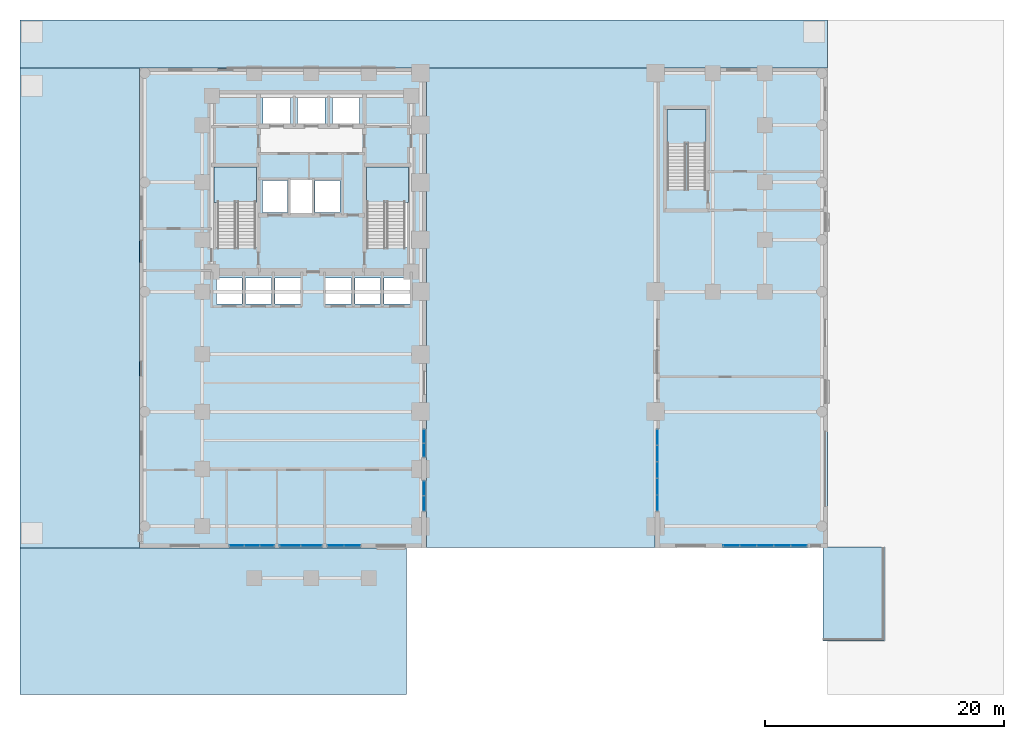
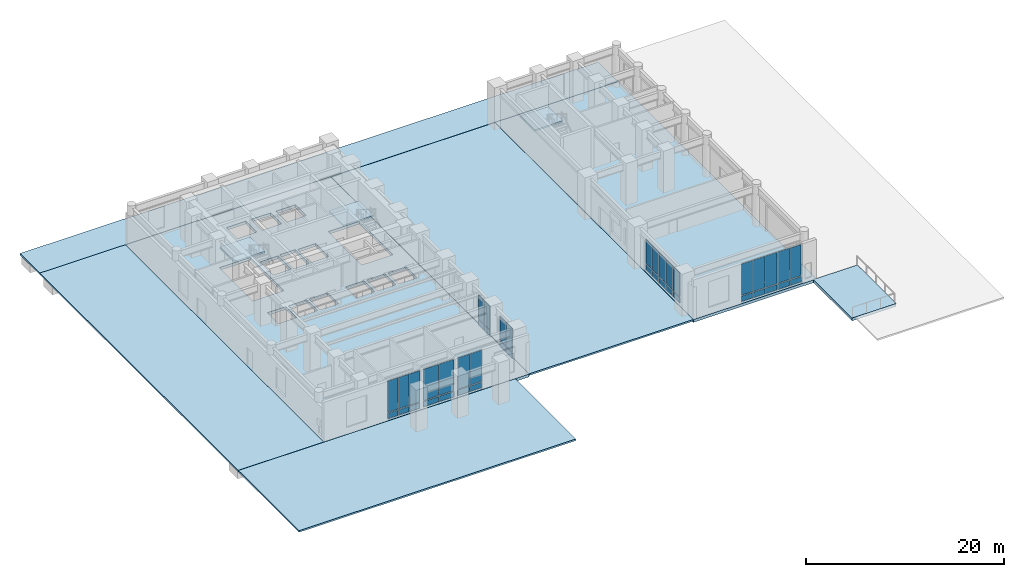
# One storey, part 6 of 16: 42 plates, 10 slabs, 10 elements without a shape of their own.
"""IFC4 building model written with IfcOpenShell, lengths in metres."""

from ifc_helpers import new_model, si_unit, direction, frame, origin, origin_2d, place, context, subcontext, project, spatial, polyline, rectangle, outline, extrude, material, layer, layer_set, type_object, element, aggregate, save


model = new_model("IFC4")

# Units and contexts
model_context = context("Model", 3, precision=1e-05, world=origin(), true_north=direction((0.0, 1.0)))
body_context = subcontext(model_context, "Body", "Model", "MODEL_VIEW")
ifc_project = project(units=[si_unit("LENGTHUNIT", "METRE"), si_unit("AREAUNIT", "SQUARE_METRE"), si_unit("VOLUMEUNIT", "CUBIC_METRE"), si_unit("PLANEANGLEUNIT", "RADIAN"), si_unit("MASSUNIT", "GRAM", prefix="KILO")], contexts=[model_context])

# Site, building, storey
site_placement = place(None, origin())
site = spatial("IfcSite", under=ifc_project, at=site_placement, CompositionType="ELEMENT")
building_placement = place(site_placement, origin())
building = spatial("IfcBuilding", under=site, at=building_placement, Name="Orvandelia Arch Residences", CompositionType="ELEMENT")
storey_placement = place(building_placement, origin())
storey = spatial("IfcBuildingStorey", under=building, at=storey_placement, Name="L00", CompositionType="ELEMENT", Elevation=0.0)

# Curtain wall, plates
ifc_material_1 = material(Name="Anodised Bronze Curtain Wall Assembly")
curtain_wall_type_1 = type_object("IfcCurtainWallType", Name="CW-SYS1-PODIUM", PredefinedType="NOTDEFINED", material=ifc_material_1)
curtain_wall_1_placement = place(storey_placement, origin())
curtain_wall_1 = element("IfcCurtainWall", 1, at=curtain_wall_1_placement, inside=storey, type_object=curtain_wall_type_1, Name="Ground Lobby Curtain Wall 1", PredefinedType="NOTDEFINED")
ifc_material_2 = material(Name="Insulated Bronze Aluminium Spandrel Panel", Category="aluminium")
ifc_layer_1 = layer(ifc_material_2, 0.0400390625, Name="Insulated Bronze Aluminium Spandrel Panel", Category="aluminium")
ifc_layer_set_1 = layer_set([ifc_layer_1], Name="Insulated Bronze Aluminium Spandrel Panel")
plate_type_1 = type_object("IfcPlateType", Name="CW-PANEL-SPANDREL", PredefinedType="SHEET", material=ifc_layer_set_1)
plate_1_placement = place(storey_placement, frame((8.159912109375, 7.97998046875, 0.125), z_axis=(0.0, 0.0, 1.0), x_axis=(1.0, 0.0, 0.0)))
plate_1 = element("IfcPlate", 2, at=plate_1_placement, type_object=plate_type_1, Name="Curtain Wall Spandrel Panel CW-L00-1-PS1", PredefinedType="SHEET", context=body_context, shape_type="SweptSolid", body=[
    extrude(rectangle(XDim=1.18994140625, YDim=0.0400390625, at=origin_2d()), origin(), (0.0, 0.0, 1.0), 0.669921875),
])
plate_2_placement = place(storey_placement, frame((9.419921875, 7.97998046875, 0.125), z_axis=(0.0, 0.0, 1.0), x_axis=(1.0, 0.0, 0.0)))
plate_2 = element("IfcPlate", 3, at=plate_2_placement, type_object=plate_type_1, Name="Curtain Wall Spandrel Panel CW-L00-1-PS2", PredefinedType="SHEET", context=body_context, shape_type="SweptSolid", body=[
    extrude(rectangle(XDim=1.22998046875, YDim=0.0400390625, at=origin_2d()), origin(), (0.0, 0.0, 1.0), 0.669921875),
])
plate_3_placement = place(storey_placement, frame((10.679931640625, 7.97998046875, 0.125), z_axis=(0.0, 0.0, 1.0), x_axis=(1.0, 0.0, 0.0)))
plate_3 = element("IfcPlate", 4, at=plate_3_placement, type_object=plate_type_1, Name="Curtain Wall Spandrel Panel CW-L00-1-PS3", PredefinedType="SHEET", context=body_context, shape_type="SweptSolid", body=[
    extrude(rectangle(XDim=1.18994140625, YDim=0.0400390625, at=origin_2d()), origin(), (0.0, 0.0, 1.0), 0.669921875),
])

curtain_wall_2_placement = place(storey_placement, origin())
curtain_wall_2 = element("IfcCurtainWall", 5, at=curtain_wall_2_placement, inside=storey, type_object=curtain_wall_type_1, Name="Ground Lobby Curtain Wall 2", PredefinedType="NOTDEFINED")
plate_4_placement = place(storey_placement, frame((12.6298828125, 7.97998046875, 0.125), z_axis=(0.0, 0.0, 1.0), x_axis=(1.0, 0.0, 0.0)))
plate_4 = element("IfcPlate", 6, at=plate_4_placement, type_object=plate_type_1, Name="Curtain Wall Spandrel Panel CW-L00-2-PS1", PredefinedType="SHEET", context=body_context, shape_type="SweptSolid", body=[
    extrude(rectangle(XDim=1.72998046875, YDim=0.0400390625, at=origin_2d()), origin(), (0.0, 0.0, 1.0), 0.669921875),
])
plate_5_placement = place(storey_placement, frame((14.409912109375, 7.97998046875, 0.125), z_axis=(0.0, 0.0, 1.0), x_axis=(1.0, 0.0, 0.0)))
plate_5 = element("IfcPlate", 7, at=plate_5_placement, type_object=plate_type_1, Name="Curtain Wall Spandrel Panel CW-L00-2-PS2", PredefinedType="SHEET", context=body_context, shape_type="SweptSolid", body=[
    extrude(rectangle(XDim=1.72998046875, YDim=0.0400390625, at=origin_2d()), origin(), (0.0, 0.0, 1.0), 0.669921875),
])

curtain_wall_3_placement = place(storey_placement, origin())
curtain_wall_3 = element("IfcCurtainWall", 8, at=curtain_wall_3_placement, inside=storey, type_object=curtain_wall_type_1, Name="Ground Lobby Curtain Wall 3", PredefinedType="NOTDEFINED")
plate_6_placement = place(storey_placement, frame((16.43505859375, 7.97998046875, 0.125), z_axis=(0.0, 0.0, 1.0), x_axis=(1.0, 0.0, 0.0)))
plate_6 = element("IfcPlate", 9, at=plate_6_placement, type_object=plate_type_1, Name="Curtain Wall Spandrel Panel CW-L00-3-PS1", PredefinedType="SHEET", context=body_context, shape_type="SweptSolid", body=[
    extrude(rectangle(XDim=1.340087890625, YDim=0.0400390625, at=origin_2d()), origin(), (0.0, 0.0, 1.0), 0.669921875),
])
plate_7_placement = place(storey_placement, frame((17.824951171875, 7.97998046875, 0.125), z_axis=(0.0, 0.0, 1.0), x_axis=(1.0, 0.0, 0.0)))
plate_7 = element("IfcPlate", 10, at=plate_7_placement, type_object=plate_type_1, Name="Curtain Wall Spandrel Panel CW-L00-3-PS2", PredefinedType="SHEET", context=body_context, shape_type="SweptSolid", body=[
    extrude(rectangle(XDim=1.340087890625, YDim=0.0400390625, at=origin_2d()), origin(), (0.0, 0.0, 1.0), 0.669921875),
])

curtain_wall_4_placement = place(storey_placement, origin())
curtain_wall_4 = element("IfcCurtainWall", 11, at=curtain_wall_4_placement, inside=storey, type_object=curtain_wall_type_1, Name="East Flagship Storefront Curtain Wall 4", PredefinedType="NOTDEFINED")
plate_8_placement = place(storey_placement, frame((49.572021484375, 7.97998046875, 0.125), z_axis=(0.0, 0.0, 1.0), x_axis=(1.0, 0.0, 0.0)))
plate_8 = element("IfcPlate", 12, at=plate_8_placement, type_object=plate_type_1, Name="Curtain Wall Spandrel Panel CW-L00-4-PS1", PredefinedType="SHEET", context=body_context, shape_type="SweptSolid", body=[
    extrude(rectangle(XDim=1.333984375, YDim=0.0400390625, at=origin_2d()), origin(), (0.0, 0.0, 1.0), 0.669921875),
])
plate_9_placement = place(storey_placement, frame((50.97607421875, 7.97998046875, 0.125), z_axis=(0.0, 0.0, 1.0), x_axis=(1.0, 0.0, 0.0)))
plate_9 = element("IfcPlate", 13, at=plate_9_placement, type_object=plate_type_1, Name="Curtain Wall Spandrel Panel CW-L00-4-PS2", PredefinedType="SHEET", context=body_context, shape_type="SweptSolid", body=[
    extrude(rectangle(XDim=1.3740234375, YDim=0.0400390625, at=origin_2d()), origin(), (0.0, 0.0, 1.0), 0.669921875),
])
plate_10_placement = place(storey_placement, frame((52.39990234375, 7.97998046875, 0.125), z_axis=(0.0, 0.0, 1.0), x_axis=(1.0, 0.0, 0.0)))
plate_10 = element("IfcPlate", 14, at=plate_10_placement, type_object=plate_type_1, Name="Curtain Wall Spandrel Panel CW-L00-4-PS3", PredefinedType="SHEET", context=body_context, shape_type="SweptSolid", body=[
    extrude(rectangle(XDim=1.3740234375, YDim=0.0400390625, at=origin_2d()), origin(), (0.0, 0.0, 1.0), 0.669921875),
])
plate_11_placement = place(storey_placement, frame((53.823974609375, 7.97998046875, 0.125), z_axis=(0.0, 0.0, 1.0), x_axis=(1.0, 0.0, 0.0)))
plate_11 = element("IfcPlate", 15, at=plate_11_placement, type_object=plate_type_1, Name="Curtain Wall Spandrel Panel CW-L00-4-PS4", PredefinedType="SHEET", context=body_context, shape_type="SweptSolid", body=[
    extrude(rectangle(XDim=1.3740234375, YDim=0.0400390625, at=origin_2d()), origin(), (0.0, 0.0, 1.0), 0.669921875),
])
plate_12_placement = place(storey_placement, frame((55.22802734375, 7.97998046875, 0.125), z_axis=(0.0, 0.0, 1.0), x_axis=(1.0, 0.0, 0.0)))
plate_12 = element("IfcPlate", 16, at=plate_12_placement, type_object=plate_type_1, Name="Curtain Wall Spandrel Panel CW-L00-4-PS5", PredefinedType="SHEET", context=body_context, shape_type="SweptSolid", body=[
    extrude(rectangle(XDim=1.333984375, YDim=0.0400390625, at=origin_2d()), origin(), (0.0, 0.0, 1.0), 0.669921875),
])

curtain_wall_type_2 = type_object("IfcCurtainWallType", Name="CW-SYS2-ARCH", PredefinedType="NOTDEFINED", material=ifc_material_1)
curtain_wall_5_placement = place(storey_placement, origin())
curtain_wall_5 = element("IfcCurtainWall", 17, at=curtain_wall_5_placement, inside=storey, type_object=curtain_wall_type_2, Name="Arch West Pier Glazed Arcade 5", PredefinedType="NOTDEFINED")
plate_13_placement = place(storey_placement, frame((23.820068359375, 11.512451171875, 0.125), z_axis=(0.0, 0.0, 1.0), x_axis=(0.0, 1.0, 0.0)))
plate_13 = element("IfcPlate", 18, at=plate_13_placement, type_object=plate_type_1, Name="Curtain Wall Spandrel Panel CW-L00-5-PS1", PredefinedType="SHEET", context=body_context, shape_type="SweptSolid", body=[
    extrude(rectangle(XDim=1.215087890625, YDim=0.0400390625, at=origin_2d()), origin(), (0.0, 0.0, 1.0), 0.669921875),
])
plate_14_placement = place(storey_placement, frame((23.820068359375, 12.777587890625, 0.125), z_axis=(0.0, 0.0, 1.0), x_axis=(0.0, 1.0, 0.0)))
plate_14 = element("IfcPlate", 19, at=plate_14_placement, type_object=plate_type_1, Name="Curtain Wall Spandrel Panel CW-L00-5-PS2", PredefinedType="SHEET", context=body_context, shape_type="SweptSolid", body=[
    extrude(rectangle(XDim=1.215087890625, YDim=0.0400390625, at=origin_2d()), origin(), (0.0, 0.0, 1.0), 0.669921875),
])

curtain_wall_6_placement = place(storey_placement, origin())
curtain_wall_6 = element("IfcCurtainWall", 20, at=curtain_wall_6_placement, inside=storey, type_object=curtain_wall_type_2, Name="Arch West Pier Glazed Arcade 6", PredefinedType="NOTDEFINED")
plate_15_placement = place(storey_placement, frame((23.820068359375, 15.972412109375, 0.125), z_axis=(0.0, 0.0, 1.0), x_axis=(0.0, 1.0, 0.0)))
plate_15 = element("IfcPlate", 21, at=plate_15_placement, type_object=plate_type_1, Name="Curtain Wall Spandrel Panel CW-L00-6-PS1", PredefinedType="SHEET", context=body_context, shape_type="SweptSolid", body=[
    extrude(rectangle(XDim=1.114990234375, YDim=0.0400390625, at=origin_2d()), origin(), (0.0, 0.0, 1.0), 0.669921875),
])
plate_16_placement = place(storey_placement, frame((23.820068359375, 17.137451171875, 0.125), z_axis=(0.0, 0.0, 1.0), x_axis=(0.0, 1.0, 0.0)))
plate_16 = element("IfcPlate", 22, at=plate_16_placement, type_object=plate_type_1, Name="Curtain Wall Spandrel Panel CW-L00-6-PS2", PredefinedType="SHEET", context=body_context, shape_type="SweptSolid", body=[
    extrude(rectangle(XDim=1.114990234375, YDim=0.0400390625, at=origin_2d()), origin(), (0.0, 0.0, 1.0), 0.669921875),
])

curtain_wall_7_placement = place(storey_placement, origin())
curtain_wall_7 = element("IfcCurtainWall", 23, at=curtain_wall_7_placement, inside=storey, type_object=curtain_wall_type_2, Name="Arch East Pier Glazed Arcade 7", PredefinedType="NOTDEFINED")
plate_17_placement = place(storey_placement, frame((43.3798828125, 11.552001953125, 0.125), z_axis=(0.0, 0.0, 1.0), x_axis=(0.0, 1.0, 0.0)))
plate_17 = element("IfcPlate", 24, at=plate_17_placement, type_object=plate_type_1, Name="Curtain Wall Spandrel Panel CW-L00-7-PS1", PredefinedType="SHEET", context=body_context, shape_type="SweptSolid", body=[
    extrude(rectangle(XDim=1.2939453125, YDim=0.0400390625, at=origin_2d()), origin(), (0.0, 0.0, 1.0), 0.669921875),
])
plate_18_placement = place(storey_placement, frame((43.3798828125, 12.916015625, 0.125), z_axis=(0.0, 0.0, 1.0), x_axis=(0.0, 1.0, 0.0)))
plate_18 = element("IfcPlate", 25, at=plate_18_placement, type_object=plate_type_1, Name="Curtain Wall Spandrel Panel CW-L00-7-PS2", PredefinedType="SHEET", context=body_context, shape_type="SweptSolid", body=[
    extrude(rectangle(XDim=1.333984375, YDim=0.0400390625, at=origin_2d()), origin(), (0.0, 0.0, 1.0), 0.669921875),
])
plate_19_placement = place(storey_placement, frame((43.3798828125, 14.300048828125, 0.125), z_axis=(0.0, 0.0, 1.0), x_axis=(0.0, 1.0, 0.0)))
plate_19 = element("IfcPlate", 26, at=plate_19_placement, type_object=plate_type_1, Name="Curtain Wall Spandrel Panel CW-L00-7-PS3", PredefinedType="SHEET", context=body_context, shape_type="SweptSolid", body=[
    extrude(rectangle(XDim=1.333984375, YDim=0.0400390625, at=origin_2d()), origin(), (0.0, 0.0, 1.0), 0.669921875),
])
plate_20_placement = place(storey_placement, frame((43.3798828125, 15.68408203125, 0.125), z_axis=(0.0, 0.0, 1.0), x_axis=(0.0, 1.0, 0.0)))
plate_20 = element("IfcPlate", 27, at=plate_20_placement, type_object=plate_type_1, Name="Curtain Wall Spandrel Panel CW-L00-7-PS4", PredefinedType="SHEET", context=body_context, shape_type="SweptSolid", body=[
    extrude(rectangle(XDim=1.333984375, YDim=0.0400390625, at=origin_2d()), origin(), (0.0, 0.0, 1.0), 0.669921875),
])
plate_21_placement = place(storey_placement, frame((43.3798828125, 17.048095703125, 0.125), z_axis=(0.0, 0.0, 1.0), x_axis=(0.0, 1.0, 0.0)))
plate_21 = element("IfcPlate", 28, at=plate_21_placement, type_object=plate_type_1, Name="Curtain Wall Spandrel Panel CW-L00-7-PS5", PredefinedType="SHEET", context=body_context, shape_type="SweptSolid", body=[
    extrude(rectangle(XDim=1.2939453125, YDim=0.0400390625, at=origin_2d()), origin(), (0.0, 0.0, 1.0), 0.669921875),
])

# Plate
ifc_material_3 = material(Name="Low-E Laminated Double Glazing", Category="glass")
ifc_layer_2 = layer(ifc_material_3, 0.031982421875, Name="Low-E Laminated Double Glazing", Category="glass")
ifc_layer_set_2 = layer_set([ifc_layer_2], Name="Low-E Laminated Double Glazing")
plate_type_2 = type_object("IfcPlateType", Name="CW-PANEL-VISION", PredefinedType="CURTAIN_PANEL", material=ifc_layer_set_2)
plate_22_placement = place(storey_placement, frame((8.159912109375, 7.97998046875, 0.90478515625), z_axis=(0.0, 0.0, 1.0), x_axis=(1.0, 0.0, 0.0)))
plate_22 = element("IfcPlate", 29, at=plate_22_placement, type_object=plate_type_2, Name="Curtain Wall Vision Glass Panel CW-L00-1-PV1", PredefinedType="CURTAIN_PANEL", context=body_context, shape_type="SweptSolid", body=[
    extrude(rectangle(XDim=1.18994140625, YDim=0.031982421875, at=origin_2d()), origin(), (0.0, 0.0, 1.0), 3.860107421875),
])

plate_23_placement = place(storey_placement, frame((9.419921875, 7.97998046875, 0.90478515625), z_axis=(0.0, 0.0, 1.0), x_axis=(1.0, 0.0, 0.0)))
plate_23 = element("IfcPlate", 30, at=plate_23_placement, type_object=plate_type_2, Name="Curtain Wall Vision Glass Panel CW-L00-1-PV2", PredefinedType="CURTAIN_PANEL", context=body_context, shape_type="SweptSolid", body=[
    extrude(rectangle(XDim=1.22998046875, YDim=0.031982421875, at=origin_2d()), origin(), (0.0, 0.0, 1.0), 3.860107421875),
])

plate_24_placement = place(storey_placement, frame((10.679931640625, 7.97998046875, 0.90478515625), z_axis=(0.0, 0.0, 1.0), x_axis=(1.0, 0.0, 0.0)))
plate_24 = element("IfcPlate", 31, at=plate_24_placement, type_object=plate_type_2, Name="Curtain Wall Vision Glass Panel CW-L00-1-PV3", PredefinedType="CURTAIN_PANEL", context=body_context, shape_type="SweptSolid", body=[
    extrude(rectangle(XDim=1.18994140625, YDim=0.031982421875, at=origin_2d()), origin(), (0.0, 0.0, 1.0), 3.860107421875),
])

aggregate(curtain_wall_1, [plate_1, plate_22, plate_2, plate_23, plate_3, plate_24])

plate_25_placement = place(storey_placement, frame((12.6298828125, 7.97998046875, 0.90478515625), z_axis=(0.0, 0.0, 1.0), x_axis=(1.0, 0.0, 0.0)))
plate_25 = element("IfcPlate", 32, at=plate_25_placement, type_object=plate_type_2, Name="Curtain Wall Vision Glass Panel CW-L00-2-PV1", PredefinedType="CURTAIN_PANEL", context=body_context, shape_type="SweptSolid", body=[
    extrude(rectangle(XDim=1.72998046875, YDim=0.031982421875, at=origin_2d()), origin(), (0.0, 0.0, 1.0), 3.860107421875),
])

plate_26_placement = place(storey_placement, frame((14.409912109375, 7.97998046875, 0.90478515625), z_axis=(0.0, 0.0, 1.0), x_axis=(1.0, 0.0, 0.0)))
plate_26 = element("IfcPlate", 33, at=plate_26_placement, type_object=plate_type_2, Name="Curtain Wall Vision Glass Panel CW-L00-2-PV2", PredefinedType="CURTAIN_PANEL", context=body_context, shape_type="SweptSolid", body=[
    extrude(rectangle(XDim=1.72998046875, YDim=0.031982421875, at=origin_2d()), origin(), (0.0, 0.0, 1.0), 3.860107421875),
])

aggregate(curtain_wall_2, [plate_4, plate_25, plate_5, plate_26])

plate_27_placement = place(storey_placement, frame((16.43505859375, 7.97998046875, 0.90478515625), z_axis=(0.0, 0.0, 1.0), x_axis=(1.0, 0.0, 0.0)))
plate_27 = element("IfcPlate", 34, at=plate_27_placement, type_object=plate_type_2, Name="Curtain Wall Vision Glass Panel CW-L00-3-PV1", PredefinedType="CURTAIN_PANEL", context=body_context, shape_type="SweptSolid", body=[
    extrude(rectangle(XDim=1.340087890625, YDim=0.031982421875, at=origin_2d()), origin(), (0.0, 0.0, 1.0), 3.860107421875),
])

plate_28_placement = place(storey_placement, frame((17.824951171875, 7.97998046875, 0.90478515625), z_axis=(0.0, 0.0, 1.0), x_axis=(1.0, 0.0, 0.0)))
plate_28 = element("IfcPlate", 35, at=plate_28_placement, type_object=plate_type_2, Name="Curtain Wall Vision Glass Panel CW-L00-3-PV2", PredefinedType="CURTAIN_PANEL", context=body_context, shape_type="SweptSolid", body=[
    extrude(rectangle(XDim=1.340087890625, YDim=0.031982421875, at=origin_2d()), origin(), (0.0, 0.0, 1.0), 3.860107421875),
])

aggregate(curtain_wall_3, [plate_6, plate_27, plate_7, plate_28])

plate_29_placement = place(storey_placement, frame((49.572021484375, 7.97998046875, 0.90478515625), z_axis=(0.0, 0.0, 1.0), x_axis=(1.0, 0.0, 0.0)))
plate_29 = element("IfcPlate", 36, at=plate_29_placement, type_object=plate_type_2, Name="Curtain Wall Vision Glass Panel CW-L00-4-PV1", PredefinedType="CURTAIN_PANEL", context=body_context, shape_type="SweptSolid", body=[
    extrude(rectangle(XDim=1.333984375, YDim=0.031982421875, at=origin_2d()), origin(), (0.0, 0.0, 1.0), 3.860107421875),
])

plate_30_placement = place(storey_placement, frame((50.97607421875, 7.97998046875, 0.90478515625), z_axis=(0.0, 0.0, 1.0), x_axis=(1.0, 0.0, 0.0)))
plate_30 = element("IfcPlate", 37, at=plate_30_placement, type_object=plate_type_2, Name="Curtain Wall Vision Glass Panel CW-L00-4-PV2", PredefinedType="CURTAIN_PANEL", context=body_context, shape_type="SweptSolid", body=[
    extrude(rectangle(XDim=1.3740234375, YDim=0.031982421875, at=origin_2d()), origin(), (0.0, 0.0, 1.0), 3.860107421875),
])

plate_31_placement = place(storey_placement, frame((52.39990234375, 7.97998046875, 0.90478515625), z_axis=(0.0, 0.0, 1.0), x_axis=(1.0, 0.0, 0.0)))
plate_31 = element("IfcPlate", 38, at=plate_31_placement, type_object=plate_type_2, Name="Curtain Wall Vision Glass Panel CW-L00-4-PV3", PredefinedType="CURTAIN_PANEL", context=body_context, shape_type="SweptSolid", body=[
    extrude(rectangle(XDim=1.3740234375, YDim=0.031982421875, at=origin_2d()), origin(), (0.0, 0.0, 1.0), 3.860107421875),
])

plate_32_placement = place(storey_placement, frame((53.823974609375, 7.97998046875, 0.90478515625), z_axis=(0.0, 0.0, 1.0), x_axis=(1.0, 0.0, 0.0)))
plate_32 = element("IfcPlate", 39, at=plate_32_placement, type_object=plate_type_2, Name="Curtain Wall Vision Glass Panel CW-L00-4-PV4", PredefinedType="CURTAIN_PANEL", context=body_context, shape_type="SweptSolid", body=[
    extrude(rectangle(XDim=1.3740234375, YDim=0.031982421875, at=origin_2d()), origin(), (0.0, 0.0, 1.0), 3.860107421875),
])

plate_33_placement = place(storey_placement, frame((55.22802734375, 7.97998046875, 0.90478515625), z_axis=(0.0, 0.0, 1.0), x_axis=(1.0, 0.0, 0.0)))
plate_33 = element("IfcPlate", 40, at=plate_33_placement, type_object=plate_type_2, Name="Curtain Wall Vision Glass Panel CW-L00-4-PV5", PredefinedType="CURTAIN_PANEL", context=body_context, shape_type="SweptSolid", body=[
    extrude(rectangle(XDim=1.333984375, YDim=0.031982421875, at=origin_2d()), origin(), (0.0, 0.0, 1.0), 3.860107421875),
])

aggregate(curtain_wall_4, [plate_8, plate_29, plate_9, plate_30, plate_10, plate_31, plate_11, plate_32, plate_12, plate_33])

plate_34_placement = place(storey_placement, frame((23.820068359375, 11.512451171875, 0.905029296875), z_axis=(0.0, 0.0, 1.0), x_axis=(0.0, 1.0, 0.0)))
plate_34 = element("IfcPlate", 41, at=plate_34_placement, type_object=plate_type_2, Name="Curtain Wall Vision Glass Panel CW-L00-5-PV1", PredefinedType="CURTAIN_PANEL", context=body_context, shape_type="SweptSolid", body=[
    extrude(rectangle(XDim=1.215087890625, YDim=0.031982421875, at=origin_2d()), origin(), (0.0, 0.0, 1.0), 2.9599609375),
])

plate_35_placement = place(storey_placement, frame((23.820068359375, 12.777587890625, 0.905029296875), z_axis=(0.0, 0.0, 1.0), x_axis=(0.0, 1.0, 0.0)))
plate_35 = element("IfcPlate", 42, at=plate_35_placement, type_object=plate_type_2, Name="Curtain Wall Vision Glass Panel CW-L00-5-PV2", PredefinedType="CURTAIN_PANEL", context=body_context, shape_type="SweptSolid", body=[
    extrude(rectangle(XDim=1.215087890625, YDim=0.031982421875, at=origin_2d()), origin(), (0.0, 0.0, 1.0), 2.9599609375),
])

aggregate(curtain_wall_5, [plate_13, plate_34, plate_14, plate_35])

plate_36_placement = place(storey_placement, frame((23.820068359375, 15.972412109375, 0.905029296875), z_axis=(0.0, 0.0, 1.0), x_axis=(0.0, 1.0, 0.0)))
plate_36 = element("IfcPlate", 43, at=plate_36_placement, type_object=plate_type_2, Name="Curtain Wall Vision Glass Panel CW-L00-6-PV1", PredefinedType="CURTAIN_PANEL", context=body_context, shape_type="SweptSolid", body=[
    extrude(rectangle(XDim=1.114990234375, YDim=0.031982421875, at=origin_2d()), origin(), (0.0, 0.0, 1.0), 2.9599609375),
])

plate_37_placement = place(storey_placement, frame((23.820068359375, 17.137451171875, 0.905029296875), z_axis=(0.0, 0.0, 1.0), x_axis=(0.0, 1.0, 0.0)))
plate_37 = element("IfcPlate", 44, at=plate_37_placement, type_object=plate_type_2, Name="Curtain Wall Vision Glass Panel CW-L00-6-PV2", PredefinedType="CURTAIN_PANEL", context=body_context, shape_type="SweptSolid", body=[
    extrude(rectangle(XDim=1.114990234375, YDim=0.031982421875, at=origin_2d()), origin(), (0.0, 0.0, 1.0), 2.9599609375),
])

aggregate(curtain_wall_6, [plate_15, plate_36, plate_16, plate_37])

plate_38_placement = place(storey_placement, frame((43.3798828125, 11.552001953125, 0.905029296875), z_axis=(0.0, 0.0, 1.0), x_axis=(0.0, 1.0, 0.0)))
plate_38 = element("IfcPlate", 45, at=plate_38_placement, type_object=plate_type_2, Name="Curtain Wall Vision Glass Panel CW-L00-7-PV1", PredefinedType="CURTAIN_PANEL", context=body_context, shape_type="SweptSolid", body=[
    extrude(rectangle(XDim=1.2939453125, YDim=0.031982421875, at=origin_2d()), origin(), (0.0, 0.0, 1.0), 2.9599609375),
])

plate_39_placement = place(storey_placement, frame((43.3798828125, 12.916015625, 0.905029296875), z_axis=(0.0, 0.0, 1.0), x_axis=(0.0, 1.0, 0.0)))
plate_39 = element("IfcPlate", 46, at=plate_39_placement, type_object=plate_type_2, Name="Curtain Wall Vision Glass Panel CW-L00-7-PV2", PredefinedType="CURTAIN_PANEL", context=body_context, shape_type="SweptSolid", body=[
    extrude(rectangle(XDim=1.333984375, YDim=0.031982421875, at=origin_2d()), origin(), (0.0, 0.0, 1.0), 2.9599609375),
])

plate_40_placement = place(storey_placement, frame((43.3798828125, 14.300048828125, 0.905029296875), z_axis=(0.0, 0.0, 1.0), x_axis=(0.0, 1.0, 0.0)))
plate_40 = element("IfcPlate", 47, at=plate_40_placement, type_object=plate_type_2, Name="Curtain Wall Vision Glass Panel CW-L00-7-PV3", PredefinedType="CURTAIN_PANEL", context=body_context, shape_type="SweptSolid", body=[
    extrude(rectangle(XDim=1.333984375, YDim=0.031982421875, at=origin_2d()), origin(), (0.0, 0.0, 1.0), 2.9599609375),
])

plate_41_placement = place(storey_placement, frame((43.3798828125, 15.68408203125, 0.905029296875), z_axis=(0.0, 0.0, 1.0), x_axis=(0.0, 1.0, 0.0)))
plate_41 = element("IfcPlate", 48, at=plate_41_placement, type_object=plate_type_2, Name="Curtain Wall Vision Glass Panel CW-L00-7-PV4", PredefinedType="CURTAIN_PANEL", context=body_context, shape_type="SweptSolid", body=[
    extrude(rectangle(XDim=1.333984375, YDim=0.031982421875, at=origin_2d()), origin(), (0.0, 0.0, 1.0), 2.9599609375),
])

plate_42_placement = place(storey_placement, frame((43.3798828125, 17.048095703125, 0.905029296875), z_axis=(0.0, 0.0, 1.0), x_axis=(0.0, 1.0, 0.0)))
plate_42 = element("IfcPlate", 49, at=plate_42_placement, type_object=plate_type_2, Name="Curtain Wall Vision Glass Panel CW-L00-7-PV5", PredefinedType="CURTAIN_PANEL", context=body_context, shape_type="SweptSolid", body=[
    extrude(rectangle(XDim=1.2939453125, YDim=0.031982421875, at=origin_2d()), origin(), (0.0, 0.0, 1.0), 2.9599609375),
])

aggregate(curtain_wall_7, [plate_17, plate_38, plate_18, plate_39, plate_19, plate_40, plate_20, plate_41, plate_21, plate_42])

# Stair, slab
ifc_material_4 = material(Name="Concrete C40/50", Category="concrete")
stair_type = type_object("IfcStairType", Name="STAIR-RC-DOGLEG", PredefinedType="HALF_TURN_STAIR", material=ifc_material_4)
stair_1_placement = place(storey_placement, origin())
stair_1 = element("IfcStair", 50, at=stair_1_placement, inside=storey, type_object=stair_type, Name="L00 Protected Exit Stair ST-1", PredefinedType="HALF_TURN_STAIR")
ifc_layer_3 = layer(ifc_material_4, 0.219970703125, Name="Concrete C40/50", Category="concrete")
ifc_layer_set_3 = layer_set([ifc_layer_3], Name="Concrete C40/50")
slab_type_1 = type_object("IfcSlabType", Name="SLB-LANDING-220", PredefinedType="LANDING", material=ifc_layer_set_3)
slab_1_placement = place(storey_placement, frame((0.0, 0.0, 2.39990234375)))
slab_1 = element("IfcSlab", 51, at=slab_1_placement, type_object=slab_type_1, Name="ST-1 landing 1", PredefinedType="LANDING", context=body_context, shape_type="SweptSolid", body=[
    extrude(outline(polyline([(9.800048828125, 36.7099609375), (9.800048828125, 39.68994140625), (6.260009765625, 39.68994140625), (6.260009765625, 36.7099609375), (9.800048828125, 36.7099609375)])), origin(), (0.0, 0.0, 1.0), 0.2001953125),
])
aggregate(stair_1, [slab_1])

stair_2_placement = place(storey_placement, origin())
stair_2 = element("IfcStair", 52, at=stair_2_placement, inside=storey, type_object=stair_type, Name="L00 Protected Exit Stair ST-2", PredefinedType="HALF_TURN_STAIR")
slab_2_placement = place(storey_placement, frame((0.0, 0.0, 2.39990234375)))
slab_2 = element("IfcSlab", 53, at=slab_2_placement, type_object=slab_type_1, Name="ST-2 landing 1", PredefinedType="LANDING", context=body_context, shape_type="SweptSolid", body=[
    extrude(outline(polyline([(22.5400390625, 36.7099609375), (22.5400390625, 39.68994140625), (19.0, 39.68994140625), (19.0, 36.7099609375), (22.5400390625, 36.7099609375)])), origin(), (0.0, 0.0, 1.0), 0.2001953125),
])
aggregate(stair_2, [slab_2])

stair_3_placement = place(storey_placement, origin())
stair_3 = element("IfcStair", 54, at=stair_3_placement, inside=storey, type_object=stair_type, Name="L00 East Wing Exit Stair ST-3", PredefinedType="HALF_TURN_STAIR")
slab_3_placement = place(storey_placement, frame((0.0, 0.0, 2.39990234375)))
slab_3 = element("IfcSlab", 55, at=slab_3_placement, type_object=slab_type_1, Name="ST-3 landing 1", PredefinedType="LANDING", context=body_context, shape_type="SweptSolid", body=[
    extrude(outline(polyline([(47.43994140625, 41.610107421875), (47.43994140625, 44.5), (44.179931640625, 44.5), (44.179931640625, 41.610107421875), (47.43994140625, 41.610107421875)])), origin(), (0.0, 0.0, 1.0), 0.2001953125),
])
aggregate(stair_3, [slab_3])

# Slabs
ifc_material_5 = material(Name="Precast concrete C40/50", Category="concrete")
ifc_layer_4 = layer(ifc_material_5, 0.199951171875, Name="Precast concrete C40/50", Category="concrete")
ifc_layer_set_4 = layer_set([ifc_layer_4], Name="Precast concrete C40/50")
slab_type_2 = type_object("IfcSlabType", Name="SLB-PAV-200", PredefinedType="USERDEFINED", material=ifc_layer_set_4)
slab_4_placement = place(storey_placement, frame((0.0, 0.0, -0.199951171875)))
element("IfcSlab", 56, at=slab_4_placement, inside=storey, type_object=slab_type_2, Name="Through-Arch Public Plaza Paving", ObjectType="PAVING", PredefinedType="USERDEFINED", context=body_context, shape_type="SweptSolid", body=[
    extrude(outline(polyline([(24.02001953125, 7.820068359375), (43.179931640625, 7.820068359375), (43.179931640625, 47.97998046875), (24.02001953125, 47.97998046875), (24.02001953125, 7.820068359375)])), origin(), (0.0, 0.0, 1.0), 0.199951171875),
])
slab_5_placement = place(storey_placement, frame((0.0, 0.0, -0.199951171875)))
element("IfcSlab", 57, at=slab_5_placement, inside=storey, type_object=slab_type_2, Name="South-West Seafront Promenade Paving", ObjectType="PAVING", PredefinedType="USERDEFINED", context=body_context, shape_type="SweptSolid", body=[
    extrude(outline(polyline([(-10.0, -4.5), (22.360107421875, -4.5), (22.360107421875, 7.780029296875), (-10.0, 7.780029296875), (-10.0, -4.5)])), origin(), (0.0, 0.0, 1.0), 0.199951171875),
])
slab_6_placement = place(storey_placement, frame((0.0, 0.0, -0.199951171875)))
element("IfcSlab", 58, at=slab_6_placement, inside=storey, type_object=slab_type_2, Name="North Coastal Garden Promenade Paving", ObjectType="PAVING", PredefinedType="USERDEFINED", context=body_context, shape_type="SweptSolid", body=[
    extrude(outline(polyline([(-10.0, 48.0), (57.60009765625, 48.0), (57.60009765625, 52.0), (-10.0, 52.0), (-10.0, 48.0)])), origin(), (0.0, 0.0, 1.0), 0.199951171875),
])
slab_7_placement = place(storey_placement, frame((0.0, 0.0, -0.199951171875)))
element("IfcSlab", 59, at=slab_7_placement, inside=storey, type_object=slab_type_2, Name="West Harbour Drop-Off Promenade Paving", ObjectType="PAVING", PredefinedType="USERDEFINED", context=body_context, shape_type="SweptSolid", body=[
    extrude(outline(polyline([(-10.0, 7.800048828125), (0.0, 7.800048828125), (0.0, 48.0), (-10.0, 48.0), (-10.0, 7.800048828125)])), origin(), (0.0, 0.0, 1.0), 0.199951171875),
])
ifc_layer_5 = layer(ifc_material_4, 0.35009765625, Name="Concrete C40/50", Category="concrete")
ifc_layer_set_5 = layer_set([ifc_layer_5], Name="Concrete C40/50")
slab_type_3 = type_object("IfcSlabType", Name="SLB-POD-350", PredefinedType="FLOOR", material=ifc_layer_set_5)
slab_8_placement = place(storey_placement, frame((0.0, 0.0, -0.35009765625)))
element("IfcSlab", 60, at=slab_8_placement, inside=storey, type_object=slab_type_3, Name="Structural Floor Slab L00-1", PredefinedType="FLOOR", context=body_context, shape_type="SweptSolid", body=[
    extrude(outline(polyline([(0.0, 7.800048828125), (24.0, 7.800048828125), (24.0, 48.0), (0.0, 48.0), (0.0, 7.800048828125)]), holes=[polyline([(6.219970703125, 32.949951171875), (9.840087890625, 32.949951171875), (9.840087890625, 39.72998046875), (6.219970703125, 39.72998046875), (6.219970703125, 32.949951171875)]), polyline([(18.9599609375, 32.949951171875), (22.580078125, 32.949951171875), (22.580078125, 39.72998046875), (18.9599609375, 39.72998046875), (18.9599609375, 32.949951171875)]), polyline([(12.639892578125, 35.81005859375), (14.4599609375, 35.81005859375), (14.4599609375, 38.639892578125), (12.639892578125, 38.639892578125), (12.639892578125, 35.81005859375)]), polyline([(10.300048828125, 35.89990234375), (12.39990234375, 35.89990234375), (12.39990234375, 38.550048828125), (10.300048828125, 38.550048828125), (10.300048828125, 35.89990234375)]), polyline([(14.699951171875, 35.89990234375), (16.800048828125, 35.89990234375), (16.800048828125, 38.550048828125), (14.699951171875, 38.550048828125), (14.699951171875, 35.89990234375)]), polyline([(10.35009765625, 43.300048828125), (12.64990234375, 43.300048828125), (12.64990234375, 45.5), (10.35009765625, 45.5), (10.35009765625, 43.300048828125)]), polyline([(13.25, 43.300048828125), (15.550048828125, 43.300048828125), (15.550048828125, 45.5), (13.25, 45.5), (13.25, 43.300048828125)]), polyline([(16.14990234375, 43.300048828125), (18.449951171875, 43.300048828125), (18.449951171875, 45.5), (16.14990234375, 45.5), (16.14990234375, 43.300048828125)]), polyline([(6.449951171875, 28.199951171875), (8.60009765625, 28.199951171875), (8.60009765625, 30.39990234375), (6.449951171875, 30.39990234375), (6.449951171875, 28.199951171875)]), polyline([(8.89990234375, 28.199951171875), (11.050048828125, 28.199951171875), (11.050048828125, 30.39990234375), (8.89990234375, 30.39990234375), (8.89990234375, 28.199951171875)]), polyline([(11.35009765625, 28.199951171875), (13.5, 28.199951171875), (13.5, 30.39990234375), (11.35009765625, 30.39990234375), (11.35009765625, 28.199951171875)]), polyline([(15.60009765625, 28.199951171875), (17.75, 28.199951171875), (17.75, 30.39990234375), (15.60009765625, 30.39990234375), (15.60009765625, 28.199951171875)]), polyline([(18.050048828125, 28.199951171875), (20.199951171875, 28.199951171875), (20.199951171875, 30.39990234375), (18.050048828125, 30.39990234375), (18.050048828125, 28.199951171875)]), polyline([(20.5, 28.199951171875), (22.64990234375, 28.199951171875), (22.64990234375, 30.39990234375), (20.5, 30.39990234375), (20.5, 28.199951171875)])]), origin(), (0.0, 0.0, 1.0), 0.35009765625),
])
slab_9_placement = place(storey_placement, frame((0.0, 0.0, -0.35009765625)))
element("IfcSlab", 61, at=slab_9_placement, inside=storey, type_object=slab_type_3, Name="Structural Floor Slab L00-2", PredefinedType="FLOOR", context=body_context, shape_type="SweptSolid", body=[
    extrude(outline(polyline([(43.199951171875, 7.800048828125), (57.60009765625, 7.800048828125), (57.60009765625, 48.0), (43.199951171875, 48.0), (43.199951171875, 7.800048828125)])), origin(), (0.0, 0.0, 1.0), 0.35009765625),
])
slab_10_placement = place(storey_placement, frame((0.0, 0.0, -0.35009765625)))
element("IfcSlab", 62, at=slab_10_placement, inside=storey, type_object=slab_type_3, Name="Ground Vehicle Ramp Arrival Apron Slab", PredefinedType="FLOOR", context=body_context, shape_type="SweptSolid", body=[
    extrude(outline(polyline([(57.239990234375, 0.0), (62.39990234375, 0.0), (62.39990234375, 7.860107421875), (57.239990234375, 7.860107421875), (57.239990234375, 0.0)])), origin(), (0.0, 0.0, 1.0), 0.35009765625),
])

save(model, "model.ifc")
